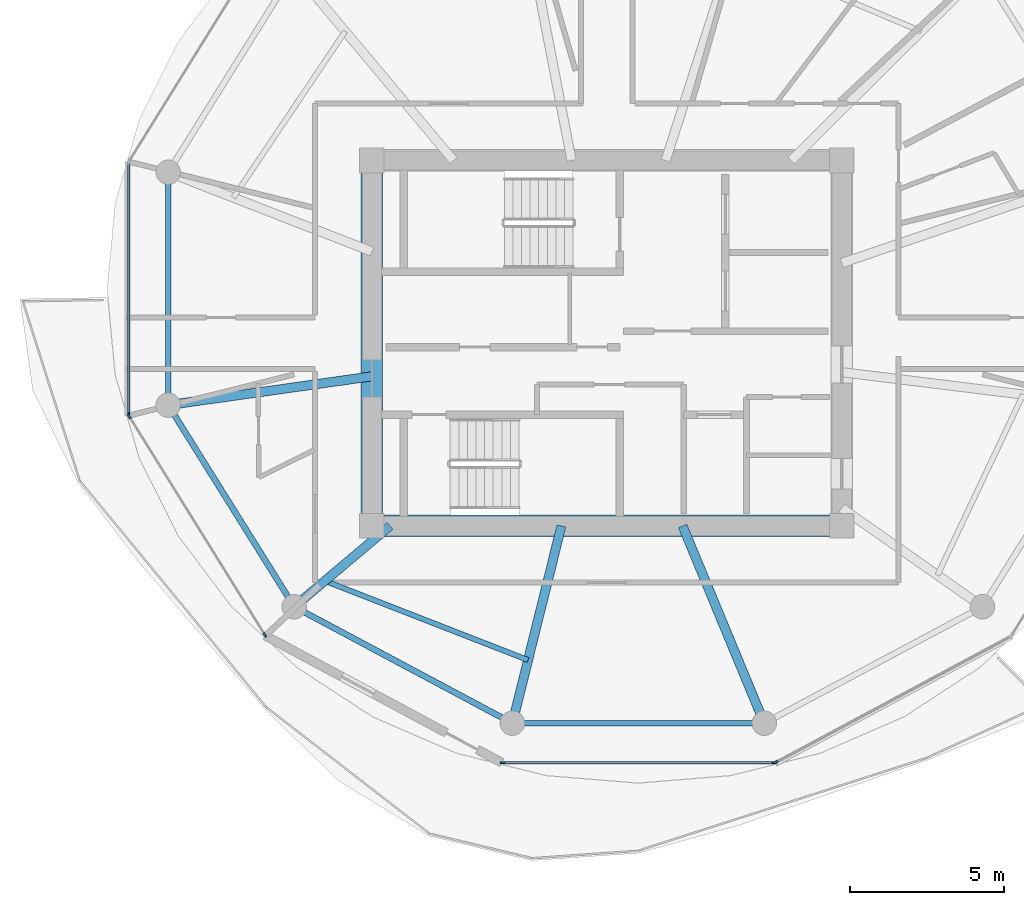
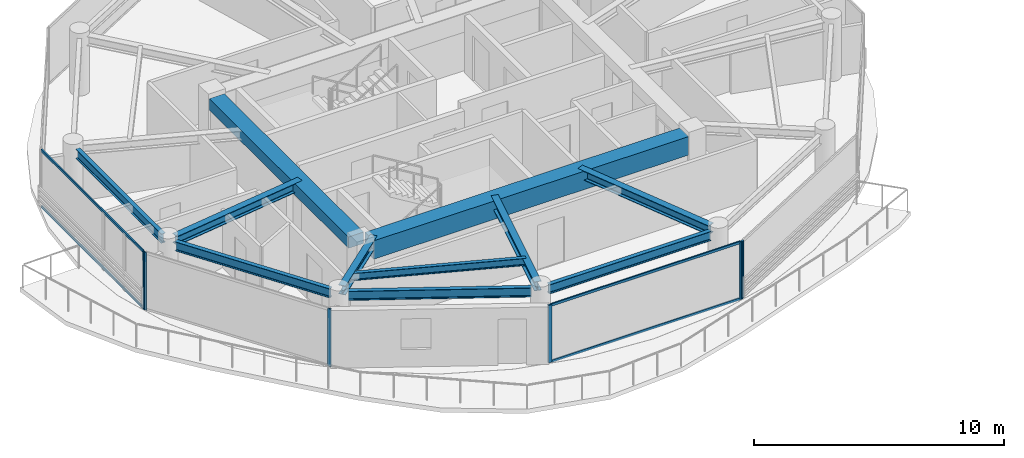
# One storey, part 2 of 22: 11 beams, 10 members, 4 elements without a shape of their own.
"""IFC4 building model written with IfcOpenShell, lengths in metres."""

import ifcopenshell
import ifcopenshell.guid

model = None  # the IFC model being written
_history = None  # IfcOwnerHistory: only IFC2X3 demands one
_inside = {}  # id of a spatial element -> (the spatial element, [elements in it])
_under = {}  # id of a project, library or spatial element -> (it, [spatial elements below it])
_declared = {}  # id of a project -> (the project, [libraries it declares])
_typed = {}  # id of a type object -> (the type object, [elements of that type])
_made_of = {}  # id of a material, layer set ... -> (it, [elements and type objects made of it])


def new_model(schema):
    """Start an empty IFC model of exactly this schema.

    Asked for "IFC4X3", IfcOpenShell would pick the latest addendum, in which some entities
    have other attributes; the version numbers below select the first issue.
    IFC2X3 requires an IfcOwnerHistory on every rooted entity: one is made here for all.
    """
    global model, _history
    if schema == "IFC4X3":
        model = ifcopenshell.file(schema_version=(4, 3, 0, 0))
    else:
        model = ifcopenshell.file(schema=schema)
    _inside.clear()
    _under.clear()
    _declared.clear()
    _typed.clear()
    _made_of.clear()
    _history = None
    if model.schema == "IFC2X3":
        org = make("IfcOrganization", Name="unknown")
        user = make(
            "IfcPersonAndOrganization",
            ThePerson=make("IfcPerson", FamilyName="unknown"),
            TheOrganization=org,
        )
        app = make(
            "IfcApplication",
            ApplicationDeveloper=org,
            Version="unknown",
            ApplicationFullName="unknown",
            ApplicationIdentifier="unknown",
        )
        _history = make(
            "IfcOwnerHistory",
            OwningUser=user,
            OwningApplication=app,
            ChangeAction="ADDED",
            CreationDate=0,
        )
    return model


def make(cls, **values):
    """One entity of the class cls with the attributes given. An attribute that is None is left unset."""
    return model.create_entity(
        cls, **{name: value for name, value in values.items() if value is not None}
    )


def rooted(cls, **values):
    """An entity with a GlobalId (a new one), such as an element, a storey or a relation."""
    return make(cls, GlobalId=ifcopenshell.guid.new(), OwnerHistory=_history, **values)


def si_unit(unit_type, name, prefix=None):
    """IfcSIUnit, for example si_unit("LENGTHUNIT", "METRE", prefix="MILLI")."""
    return make("IfcSIUnit", UnitType=unit_type, Prefix=prefix, Name=name)


def assignment(units):
    """IfcUnitAssignment: the units of a project."""
    return None if units is None else make("IfcUnitAssignment", Units=units)


def point(xyz):
    """IfcCartesianPoint."""
    return None if xyz is None else make("IfcCartesianPoint", Coordinates=xyz)


def direction(xyz):
    """IfcDirection."""
    return None if xyz is None else make("IfcDirection", DirectionRatios=xyz)


def frame(location, z_axis=None, x_axis=None):
    """IfcAxis2Placement3D, a coordinate frame: its origin and axes. An axis left out is left unset."""
    return make(
        "IfcAxis2Placement3D",
        Location=point(location),
        Axis=direction(z_axis),
        RefDirection=direction(x_axis),
    )


def frame_2d(location, x_axis=None):
    """IfcAxis2Placement2D, a coordinate frame in the plane: its origin and x axis."""
    return make(
        "IfcAxis2Placement2D", Location=point(location), RefDirection=direction(x_axis)
    )


def origin():
    """The frame at (0, 0, 0) with its axes left unset."""
    return frame((0.0, 0.0, 0.0))


def origin_2d():
    """The frame at (0, 0) in the plane with its x axis left unset."""
    return frame_2d((0.0, 0.0))


def place(relative_to, where):
    """IfcLocalPlacement: puts the frame where relative to a parent placement (None: the world)."""
    return make(
        "IfcLocalPlacement", PlacementRelTo=relative_to, RelativePlacement=where
    )


def context(
    kind, dimensions, precision=None, world=None, true_north=None, identifier=None
):
    """IfcGeometricRepresentationContext, for example the 3D "Model" context."""
    return make(
        "IfcGeometricRepresentationContext",
        ContextIdentifier=identifier,
        ContextType=kind,
        CoordinateSpaceDimension=dimensions,
        Precision=precision,
        WorldCoordinateSystem=world,
        TrueNorth=true_north,
    )


def subcontext(parent, identifier, kind, view, scale=None):
    """IfcGeometricRepresentationSubContext, for example "Body" below "Model"."""
    return make(
        "IfcGeometricRepresentationSubContext",
        ContextIdentifier=identifier,
        ContextType=kind,
        ParentContext=parent,
        TargetScale=scale,
        TargetView=view,
    )


def project(units=None, contexts=None):
    """IfcProject with its units and contexts."""
    return rooted(
        "IfcProject",
        Name="project",
        RepresentationContexts=contexts,
        UnitsInContext=assignment(units),
    )


def spatial(cls, under=None, at=None, **own):
    """A site, building, storey or space (cls), placed at a placement, below another one or the project."""
    s = rooted(cls, ObjectPlacement=at, **own)
    if under is not None:
        _under.setdefault(under.id(), (under, []))[1].append(s)
    return s


def profile(cls, at=None, kind="AREA", **sizes):
    """A parametric profile (cls). Its sizes go by their IFC names, for example OverallWidth=200.0."""
    return make(cls, ProfileType=kind, Position=at, **sizes)


def rectangle(**sizes):
    """IfcRectangleProfileDef."""
    return profile("IfcRectangleProfileDef", **sizes)


def i_section(**sizes):
    """IfcIShapeProfileDef."""
    return profile("IfcIShapeProfileDef", **sizes)


def extrude(swept, where, along, depth):
    """IfcExtrudedAreaSolid: the profile swept, set in the frame where, extruded along a direction by depth."""
    return make(
        "IfcExtrudedAreaSolid",
        SweptArea=swept,
        Position=where,
        ExtrudedDirection=direction(along),
        Depth=depth,
    )


def shape(context_of_items, identifier, shape_type, items):
    """IfcShapeRepresentation: the items that make up one representation, for example the "Body"."""
    return make(
        "IfcShapeRepresentation",
        ContextOfItems=context_of_items,
        RepresentationIdentifier=identifier,
        RepresentationType=shape_type,
        Items=items,
    )


def source(mapping_origin, context_of_items, identifier, shape_type, items):
    """IfcRepresentationMap: a shape defined once, which mapped items show again and again."""
    return make(
        "IfcRepresentationMap",
        MappingOrigin=mapping_origin,
        MappedRepresentation=shape(context_of_items, identifier, shape_type, items),
    )


def transform(
    local_origin,
    x_axis=None,
    y_axis=None,
    z_axis=None,
    scale=None,
    scale2=None,
    scale3=None,
    uniform=True,
):
    """IfcCartesianTransformationOperator3D, or its non-uniform kind. x_axis, y_axis, z_axis: its Axis1, 2, 3."""
    if uniform:
        return make(
            "IfcCartesianTransformationOperator3D",
            Axis1=direction(x_axis),
            Axis2=direction(y_axis),
            LocalOrigin=point(local_origin),
            Scale=scale,
            Axis3=direction(z_axis),
        )
    return make(
        "IfcCartesianTransformationOperator3DnonUniform",
        Axis1=direction(x_axis),
        Axis2=direction(y_axis),
        LocalOrigin=point(local_origin),
        Scale=scale,
        Axis3=direction(z_axis),
        Scale2=scale2,
        Scale3=scale3,
    )


def mapped(mapping_source, mapping_target):
    """IfcMappedItem: shows the shape of a source again, moved by a transform."""
    return make(
        "IfcMappedItem", MappingSource=mapping_source, MappingTarget=mapping_target
    )


def material(Name=None, Category=None):
    """IfcMaterial."""
    return make("IfcMaterial", Name=Name, Category=Category)


def layer(
    of_material, thickness, ventilated=None, Name=None, Category=None, Priority=None
):
    """IfcMaterialLayer: one layer of a wall or slab, of a material (None: an air gap)."""
    return make(
        "IfcMaterialLayer",
        Material=of_material,
        LayerThickness=thickness,
        IsVentilated=ventilated,
        Name=Name,
        Category=Category,
        Priority=Priority,
    )


def layer_set(layers, Name=None):
    """IfcMaterialLayerSet."""
    return make("IfcMaterialLayerSet", MaterialLayers=layers, LayerSetName=Name)


def material_profile(
    of_material, cross_section, Name=None, Category=None, Priority=None
):
    """IfcMaterialProfile: a cross section and its material."""
    return make(
        "IfcMaterialProfile",
        Name=Name,
        Material=of_material,
        Profile=cross_section,
        Priority=Priority,
        Category=Category,
    )


def profile_set(profiles, Name=None, composite=None):
    """IfcMaterialProfileSet."""
    return make(
        "IfcMaterialProfileSet",
        Name=Name,
        MaterialProfiles=profiles,
        CompositeProfile=composite,
    )


def made_of(thing, what):
    """Note that an element or type object is made of a material, layer set ...; save() writes the relation."""
    if what is not None:
        _made_of.setdefault(what.id(), (what, []))[1].append(thing)
    return thing


def type_object(cls, material=None, **own):
    """A type object (cls), such as IfcWallType, which elements share."""
    return made_of(rooted(cls, **own), material)


def type_shapes(of_type, sources):
    """Give a type object the sources (RepresentationMaps) that its elements show as mapped items."""
    of_type.RepresentationMaps = sources


def element(
    cls,
    number,
    at=None,
    inside=None,
    cuts=None,
    type_object=None,
    material=None,
    context=None,
    identifier="Body",
    shape_type=None,
    held_by="IfcProductDefinitionShape",
    body=None,
    shapes=None,
    **own,
):
    """One element of the class cls, such as IfcWall. Its Tag is "e" and its number.

    at: its placement. inside: the storey or other place that contains it. cuts: it is an
    opening in that element (IfcRelVoidsElement). A single representation is given by context,
    identifier, shape_type and body (its items); several are given by shapes. held_by: the class
    of the entity that holds the representations. save() writes the other relations.
    """
    e = rooted(cls, Tag="e%d" % number, ObjectPlacement=at, **own)
    if body is not None:
        shapes = [shape(context, identifier, shape_type, body)]
    if shapes is not None:
        e.Representation = make(held_by, Representations=shapes)
    if inside is not None:
        _inside.setdefault(inside.id(), (inside, []))[1].append(e)
    if cuts is not None:
        rooted(
            "IfcRelVoidsElement", RelatingBuildingElement=cuts, RelatedOpeningElement=e
        )
    if type_object is not None:
        _typed.setdefault(type_object.id(), (type_object, []))[1].append(e)
    return made_of(e, material)


def aggregate(whole, parts):
    """IfcRelAggregates: a whole, such as a stair, and the parts it consists of."""
    return rooted("IfcRelAggregates", RelatingObject=whole, RelatedObjects=parts)


def save(model, path):
    """Write the relations noted so far, then the file.

    IfcRelAggregates (storeys below a building ...), IfcRelContainedInSpatialStructure (elements
    in a storey), IfcRelDefinesByType, IfcRelAssociatesMaterial and IfcRelDeclares: one each for
    every whole, place, type object, material and project.
    """
    for whole, parts in _under.values():
        aggregate(whole, parts)
    for where, things in _inside.values():
        rooted(
            "IfcRelContainedInSpatialStructure",
            RelatedElements=things,
            RelatingStructure=where,
        )
    for kind, things in _typed.values():
        rooted("IfcRelDefinesByType", RelatedObjects=things, RelatingType=kind)
    for what, things in _made_of.values():
        rooted("IfcRelAssociatesMaterial", RelatedObjects=things, RelatingMaterial=what)
    for by, libraries in _declared.values():
        rooted("IfcRelDeclares", RelatingContext=by, RelatedDefinitions=libraries)
    model.write(path)


model = new_model("IFC4")

# Units and contexts
model_context = context("Model", 3, precision=1e-05, world=origin(), true_north=direction((0.0, 1.0)))
body_context = subcontext(model_context, "Body", "Model", "MODEL_VIEW")
ifc_project = project(units=[si_unit("LENGTHUNIT", "METRE"), si_unit("AREAUNIT", "SQUARE_METRE"), si_unit("VOLUMEUNIT", "CUBIC_METRE"), si_unit("PLANEANGLEUNIT", "RADIAN"), si_unit("MASSUNIT", "GRAM", prefix="KILO")], contexts=[model_context])

# Site, building, storey
site_placement = place(None, origin())
site = spatial("IfcSite", under=ifc_project, at=site_placement, CompositionType="ELEMENT")
building_placement = place(site_placement, origin())
building = spatial("IfcBuilding", under=site, at=building_placement, Name="Norrkilde Senior Care Towers", CompositionType="ELEMENT")
storey_placement = place(building_placement, frame((0.0, 0.0, 170.89990234375)))
storey = spatial("IfcBuildingStorey", under=building, at=storey_placement, Name="L53", CompositionType="ELEMENT", Elevation=170.89990234375)

# Beams
ifc_material_1 = material(Name="Concrete C60/75", Category="concrete")
ifc_material_profile_1 = material_profile(ifc_material_1, rectangle(XDim=0.699951171875, YDim=0.89990234375, at=origin_2d()), Name="RC BM 700x900")
ifc_profile_set_1 = profile_set([ifc_material_profile_1], Name="Concrete C60/75")
beam_type_1 = type_object("IfcBeamType", Name="Core Coupling Girder 700x900", PredefinedType="USERDEFINED", material=ifc_profile_set_1)
shared_shape_1 = source(origin(), body_context, "Body", "SweptSolid", [
    extrude(rectangle(XDim=0.699951171875, YDim=0.89990234375, at=origin_2d()), origin(), (0.0, 0.0, 1.0), 14.5400390625),
])
type_shapes(beam_type_1, [shared_shape_1])
beam_1_placement = place(storey_placement, frame((-35.27001953125, -5.949951171875, 2.360107421875), z_axis=(1.0, 0.0, 0.0), x_axis=(0.0, 1.0, 0.0)))
element("IfcBeam", 1, at=beam_1_placement, inside=storey, type_object=beam_type_1, Name="L53 Core W S Coupling Girder", ObjectType="GIRDER", PredefinedType="USERDEFINED", context=body_context, shape_type="MappedRepresentation", body=[
    mapped(shared_shape_1, transform((0.0, 0.0, 0.0), x_axis=(1.0, 0.0, 0.0), y_axis=(0.0, 1.0, 0.0), z_axis=(0.0, 0.0, 1.0), scale=1.0)),
])
ifc_material_profile_2 = material_profile(ifc_material_1, rectangle(XDim=0.699951171875, YDim=0.550048828125, at=origin_2d()), Name="RC BM 700x550")
ifc_profile_set_2 = profile_set([ifc_material_profile_2], Name="Concrete C60/75")
beam_type_2 = type_object("IfcBeamType", Name="Core Portal Coupling Beam 700x550", PredefinedType="USERDEFINED", material=ifc_profile_set_2)
shared_shape_2 = source(origin(), body_context, "Body", "SweptSolid", [
    extrude(rectangle(XDim=0.699951171875, YDim=0.550048828125, at=origin_2d()), origin(), (0.0, 0.0, 1.0), 11.14013671875),
])
type_shapes(beam_type_2, [shared_shape_2])
beam_2_placement = place(storey_placement, frame((-35.64990234375, -5.570068359375, 2.53515625), z_axis=(0.0, 1.0, 0.0), x_axis=(-1.0, 0.0, 0.0)))
element("IfcBeam", 2, at=beam_2_placement, inside=storey, type_object=beam_type_2, Name="L53 Core W W Coupling Girder", ObjectType="GIRDER", PredefinedType="USERDEFINED", context=body_context, shape_type="MappedRepresentation", body=[
    mapped(shared_shape_2, transform((0.0, 0.0, 0.0), x_axis=(1.0, 0.0, 0.0), y_axis=(0.0, 1.0, 0.0), z_axis=(0.0, 0.0, 1.0), scale=1.0)),
])
ifc_material_2 = material(Name="Steel S355", Category="steel")
ifc_material_profile_3 = material_profile(ifc_material_2, i_section(OverallWidth=0.18994140625, OverallDepth=0.449951171875, WebThickness=0.009521484375, FlangeThickness=0.0146484375, FilletRadius=0.02099609375, at=origin_2d()), Name="IPE 450")
ifc_profile_set_3 = profile_set([ifc_material_profile_3], Name="Steel S355")
beam_type_3 = type_object("IfcBeamType", Name="Perimeter Ring Spandrel Z3 IPE450", PredefinedType="SPANDREL", material=ifc_profile_set_3)
shared_shape_3 = source(origin(), body_context, "Body", "SweptSolid", [
    extrude(i_section(OverallWidth=0.18994140625, OverallDepth=0.449951171875, WebThickness=0.009521484375, FlangeThickness=0.0146484375, FilletRadius=0.02099609375, at=origin_2d()), origin(), (0.0, 0.0, 1.0), 7.484619140625),
])
beam_3_placement = place(storey_placement, frame((-30.71728515625, -12.37548828125, 2.585205078125), z_axis=(1.0, 0.0, 0.0), x_axis=(0.0, 1.0, 0.0)))
element("IfcBeam", 3, at=beam_3_placement, inside=storey, type_object=beam_type_3, Name="L53 Drum W Perimeter Spandrel 09", PredefinedType="SPANDREL", context=body_context, shape_type="MappedRepresentation", body=[
    mapped(shared_shape_3, transform((0.0, 0.0, 0.0), x_axis=(1.0, 0.0, 0.0), y_axis=(0.0, 1.0, 0.0), z_axis=(0.0, 0.0, 1.0), scale=1.0)),
])
shared_shape_4 = source(origin(), body_context, "Body", "SweptSolid", [
    extrude(i_section(OverallWidth=0.18994140625, OverallDepth=0.449951171875, WebThickness=0.009521484375, FlangeThickness=0.0146484375, FilletRadius=0.02099609375, at=origin_2d()), origin(), (0.0, 0.0, 1.0), 6.86328125),
])
beam_4_placement = place(storey_placement, frame((-42.284912109375, 5.20703125, 2.585205078125), z_axis=(0.0, -1.0, 0.0), x_axis=(1.0, 0.0, 0.0)))
element("IfcBeam", 4, at=beam_4_placement, inside=storey, type_object=beam_type_3, Name="L53 Drum W Perimeter Spandrel 06", PredefinedType="SPANDREL", context=body_context, shape_type="MappedRepresentation", body=[
    mapped(shared_shape_4, transform((0.0, 0.0, 0.0), x_axis=(1.0, 0.0, 0.0), y_axis=(0.0, 1.0, 0.0), z_axis=(0.0, 0.0, 1.0), scale=1.0)),
])
shared_shape_5 = source(origin(), body_context, "Body", "SweptSolid", [
    extrude(i_section(OverallWidth=0.18994140625, OverallDepth=0.449951171875, WebThickness=0.009521484375, FlangeThickness=0.0146484375, FilletRadius=0.02099609375, at=origin_2d()), origin(), (0.0, 0.0, 1.0), 7.023193359375),
])
beam_5_placement = place(storey_placement, frame((-42.09423828125, -2.32177734375, 2.585205078125), z_axis=(0.529805197269, -0.848119362441, 0.0), x_axis=(0.848119362441, 0.529805197269, 0.0)))
element("IfcBeam", 5, at=beam_5_placement, inside=storey, type_object=beam_type_3, Name="L53 Drum W Perimeter Spandrel 07", PredefinedType="SPANDREL", context=body_context, shape_type="MappedRepresentation", body=[
    mapped(shared_shape_5, transform((0.0, 0.0, 0.0), x_axis=(1.0, 0.0, 0.0), y_axis=(0.0, 1.0, 0.0), z_axis=(0.0, 0.0, 1.0), scale=1.0)),
])
ifc_material_profile_4 = material_profile(ifc_material_2, i_section(OverallWidth=0.300048828125, OverallDepth=0.449951171875, WebThickness=0.013916015625, FlangeThickness=0.02587890625, FilletRadius=0.027099609375, at=origin_2d()), Name="HEB 450")
ifc_profile_set_4 = profile_set([ifc_material_profile_4], Name="Steel S355")
beam_type_4 = type_object("IfcBeamType", Name="Radial Floor Beam Z3 HEB450", PredefinedType="BEAM", material=ifc_profile_set_4)
shared_shape_6 = source(origin(), body_context, "Body", "SweptSolid", [
    extrude(i_section(OverallWidth=0.300048828125, OverallDepth=0.449951171875, WebThickness=0.013916015625, FlangeThickness=0.02587890625, FilletRadius=0.027099609375, at=origin_2d()), origin(), (0.0, 0.0, 1.0), 6.3408203125),
])
beam_6_placement = place(storey_placement, frame((-35.64990234375, -1.079833984375, 2.585205078125), z_axis=(-0.990184519576, -0.139766294905, 0.0), x_axis=(0.139766294905, -0.990184519576, 0.0)))
element("IfcBeam", 6, at=beam_6_placement, inside=storey, type_object=beam_type_4, Name="L53 Drum W Radial Floor Beam 07", PredefinedType="BEAM", context=body_context, shape_type="MappedRepresentation", body=[
    mapped(shared_shape_6, transform((0.0, 0.0, 0.0), x_axis=(1.0, 0.0, 0.0), y_axis=(0.0, 1.0, 0.0), z_axis=(0.0, 0.0, 1.0), scale=1.0)),
])
shared_shape_7 = source(origin(), body_context, "Body", "SweptSolid", [
    extrude(i_section(OverallWidth=0.18994140625, OverallDepth=0.449951171875, WebThickness=0.009521484375, FlangeThickness=0.0146484375, FilletRadius=0.02099609375, at=origin_2d()), origin(), (0.0, 0.0, 1.0), 7.333984375),
])
type_shapes(beam_type_3, [shared_shape_3, shared_shape_4, shared_shape_5, shared_shape_7])
beam_7_placement = place(storey_placement, frame((-37.864990234375, -8.753173828125, 2.585205078125), z_axis=(0.882234038987, -0.470811109101, 0.0), x_axis=(0.470811109101, 0.882234038987, 0.0)))
element("IfcBeam", 7, at=beam_7_placement, inside=storey, type_object=beam_type_3, Name="L53 Drum W Perimeter Spandrel 08", PredefinedType="SPANDREL", context=body_context, shape_type="MappedRepresentation", body=[
    mapped(shared_shape_7, transform((0.0, 0.0, 0.0), x_axis=(1.0, 0.0, 0.0), y_axis=(0.0, 1.0, 0.0), z_axis=(0.0, 0.0, 1.0), scale=1.0)),
])
shared_shape_8 = source(origin(), body_context, "Body", "SweptSolid", [
    extrude(i_section(OverallWidth=0.300048828125, OverallDepth=0.449951171875, WebThickness=0.013916015625, FlangeThickness=0.02587890625, FilletRadius=0.027099609375, at=origin_2d()), origin(), (0.0, 0.0, 1.0), 3.7265625),
])
beam_8_placement = place(storey_placement, frame((-35.058349609375, -5.949951171875, 2.585205078125), z_axis=(-0.764567902106, -0.644543189453, 0.0), x_axis=(0.644543189453, -0.764567902106, 0.0)))
element("IfcBeam", 8, at=beam_8_placement, inside=storey, type_object=beam_type_4, Name="L53 Drum W Radial Floor Beam 08", PredefinedType="BEAM", context=body_context, shape_type="MappedRepresentation", body=[
    mapped(shared_shape_8, transform((0.0, 0.0, 0.0), x_axis=(1.0, 0.0, 0.0), y_axis=(0.0, 1.0, 0.0), z_axis=(0.0, 0.0, 1.0), scale=1.0)),
])
shared_shape_9 = source(origin(), body_context, "Body", "SweptSolid", [
    extrude(i_section(OverallWidth=0.300048828125, OverallDepth=0.449951171875, WebThickness=0.013916015625, FlangeThickness=0.02587890625, FilletRadius=0.027099609375, at=origin_2d()), origin(), (0.0, 0.0, 1.0), 6.26123046875),
])
beam_9_placement = place(storey_placement, frame((-29.4794921875, -5.949951171875, 2.585205078125), z_axis=(-0.241324375921, -0.970444509277, 0.0), x_axis=(0.970444509277, -0.241324375921, 0.0)))
element("IfcBeam", 9, at=beam_9_placement, inside=storey, type_object=beam_type_4, Name="L53 Drum W Radial Floor Beam 09", PredefinedType="BEAM", context=body_context, shape_type="MappedRepresentation", body=[
    mapped(shared_shape_9, transform((0.0, 0.0, 0.0), x_axis=(1.0, 0.0, 0.0), y_axis=(0.0, 1.0, 0.0), z_axis=(0.0, 0.0, 1.0), scale=1.0)),
])
shared_shape_10 = source(origin(), body_context, "Body", "SweptSolid", [
    extrude(i_section(OverallWidth=0.300048828125, OverallDepth=0.449951171875, WebThickness=0.013916015625, FlangeThickness=0.02587890625, FilletRadius=0.027099609375, at=origin_2d()), origin(), (0.0, 0.0, 1.0), 6.59521484375),
])
type_shapes(beam_type_4, [shared_shape_6, shared_shape_8, shared_shape_9, shared_shape_10])
beam_10_placement = place(storey_placement, frame((-25.534912109375, -5.949951171875, 2.585205078125), z_axis=(0.382761541363, -0.923847174836, 0.0), x_axis=(0.923847174836, 0.382761541363, 0.0)))
element("IfcBeam", 10, at=beam_10_placement, inside=storey, type_object=beam_type_4, Name="L53 Drum W Radial Floor Beam 10", PredefinedType="BEAM", context=body_context, shape_type="MappedRepresentation", body=[
    mapped(shared_shape_10, transform((0.0, 0.0, 0.0), x_axis=(1.0, 0.0, 0.0), y_axis=(0.0, 1.0, 0.0), z_axis=(0.0, 0.0, 1.0), scale=1.0)),
])
ifc_material_profile_5 = material_profile(ifc_material_2, i_section(OverallWidth=0.169921875, OverallDepth=0.360107421875, WebThickness=0.008056640625, FlangeThickness=0.0126953125, FilletRadius=0.01806640625, at=origin_2d()), Name="IPE 360")
ifc_profile_set_5 = profile_set([ifc_material_profile_5], Name="Steel S355")
beam_type_5 = type_object("IfcBeamType", Name="Secondary Floor Joist IPE360", PredefinedType="JOIST", material=ifc_profile_set_5)
shared_shape_11 = source(origin(), body_context, "Body", "SweptSolid", [
    extrude(i_section(OverallWidth=0.169921875, OverallDepth=0.360107421875, WebThickness=0.008056640625, FlangeThickness=0.0126953125, FilletRadius=0.01806640625, at=origin_2d()), origin(), (0.0, 0.0, 1.0), 7.1015625),
])
type_shapes(beam_type_5, [shared_shape_11])
beam_11_placement = place(storey_placement, frame((-37.182861328125, -7.740966796875, 2.630126953125), z_axis=(0.931761231292, -0.363071629106, 0.0), x_axis=(0.363071629106, 0.931761231292, 0.0)))
element("IfcBeam", 11, at=beam_11_placement, inside=storey, type_object=beam_type_5, Name="L53 Drum W Secondary Floor Joist 3", PredefinedType="JOIST", context=body_context, shape_type="MappedRepresentation", body=[
    mapped(shared_shape_11, transform((0.0, 0.0, 0.0), x_axis=(1.0, 0.0, 0.0), y_axis=(0.0, 1.0, 0.0), z_axis=(0.0, 0.0, 1.0), scale=1.0)),
])

# Curtain wall, member
ifc_material_3 = material(Name="Triple Low-E Insulated Glazing", Category="glass")
ifc_layer = layer(ifc_material_3, 0.18994140625)
ifc_layer_set = layer_set([ifc_layer], Name="Triple Low-E Insulated Glazing")
curtain_wall_type = type_object("IfcCurtainWallType", Name="CW4 Zone 3 Senior Residence Curtain Wall", PredefinedType="NOTDEFINED", material=ifc_layer_set)
curtain_wall_1_placement = place(storey_placement, origin())
curtain_wall_1 = element("IfcCurtainWall", 12, at=curtain_wall_1_placement, inside=storey, type_object=curtain_wall_type, Name="L53 Drum W Curtain Wall 05", PredefinedType="NOTDEFINED")
ifc_material_4 = material(Name="Anodised Aluminium", Category="aluminium")
ifc_material_profile_6 = material_profile(ifc_material_4, rectangle(XDim=0.06494140625, YDim=0.14990234375, at=origin_2d()), Name="ALU MULL 65x150")
ifc_profile_set_6 = profile_set([ifc_material_profile_6], Name="Anodised Aluminium")
member_type_1 = type_object("IfcMemberType", Name="Curtain Wall Mullion Z3-Z4 65x150", PredefinedType="MULLION", material=ifc_profile_set_6)
shared_shape_12 = source(origin(), body_context, "Body", "SweptSolid", [
    extrude(rectangle(XDim=0.06494140625, YDim=0.14990234375, at=origin_2d()), origin(), (0.0, 0.0, 1.0), 2.81005859375),
])
type_shapes(member_type_1, [shared_shape_12])
member_1_placement = place(storey_placement, frame((-43.569580078125, -2.328125, 0.0), z_axis=(0.0, 0.0, 1.0), x_axis=(-1.0, 0.0, 0.0)))
member_1 = element("IfcMember", 13, at=member_1_placement, type_object=member_type_1, Name="CW-4 mullion 1", PredefinedType="MULLION", context=body_context, shape_type="MappedRepresentation", body=[
    mapped(shared_shape_12, transform((0.0, 0.0, 0.0), x_axis=(1.0, 0.0, 0.0), y_axis=(0.0, 1.0, 0.0), z_axis=(0.0, 0.0, 1.0), scale=1.0)),
])

# Curtain wall, members
curtain_wall_2_placement = place(storey_placement, origin())
curtain_wall_2 = element("IfcCurtainWall", 14, at=curtain_wall_2_placement, inside=storey, type_object=curtain_wall_type, Name="L53 Drum W Curtain Wall 06", PredefinedType="NOTDEFINED")
member_2_placement = place(storey_placement, frame((-39.14013671875, -9.49658203125, 0.0), z_axis=(0.0, 0.0, 1.0), x_axis=(-0.84963405474, -0.52737270789, 0.0)))
member_2 = element("IfcMember", 15, at=member_2_placement, type_object=member_type_1, Name="CW-4 mullion 1", PredefinedType="MULLION", context=body_context, shape_type="MappedRepresentation", body=[
    mapped(shared_shape_12, transform((0.0, 0.0, 0.0), x_axis=(1.0, 0.0, 0.0), y_axis=(0.0, 1.0, 0.0), z_axis=(0.0, 0.0, 1.0), scale=1.0)),
])
member_3_placement = place(storey_placement, frame((-43.552490234375, -2.38818359375, 0.0), z_axis=(0.0, 0.0, 1.0), x_axis=(-0.84963405474, -0.52737270789, 0.0)))
member_3 = element("IfcMember", 16, at=member_3_placement, type_object=member_type_1, Name="CW-4 mullion 2", PredefinedType="MULLION", context=body_context, shape_type="MappedRepresentation", body=[
    mapped(shared_shape_12, transform((0.0, 0.0, 0.0), x_axis=(1.0, 0.0, 0.0), y_axis=(0.0, 1.0, 0.0), z_axis=(0.0, 0.0, 1.0), scale=1.0)),
])
aggregate(curtain_wall_2, [member_2, member_3])

curtain_wall_3_placement = place(storey_placement, origin())
curtain_wall_3 = element("IfcCurtainWall", 17, at=curtain_wall_3_placement, inside=storey, type_object=curtain_wall_type, Name="L53 Drum W Curtain Wall 08", PredefinedType="NOTDEFINED")
member_4_placement = place(storey_placement, frame((-22.56103515625, -13.66015625, 0.0), z_axis=(0.0, 0.0, 1.0), x_axis=(0.0, -1.0, 0.0)))
member_4 = element("IfcMember", 18, at=member_4_placement, type_object=member_type_1, Name="CW-4 mullion 1", PredefinedType="MULLION", context=body_context, shape_type="MappedRepresentation", body=[
    mapped(shared_shape_12, transform((0.0, 0.0, 0.0), x_axis=(1.0, 0.0, 0.0), y_axis=(0.0, 1.0, 0.0), z_axis=(0.0, 0.0, 1.0), scale=1.0)),
])
member_5_placement = place(storey_placement, frame((-31.388916015625, -13.66015625, 0.0), z_axis=(0.0, 0.0, 1.0), x_axis=(0.0, -1.0, 0.0)))
member_5 = element("IfcMember", 19, at=member_5_placement, type_object=member_type_1, Name="CW-4 mullion 2", PredefinedType="MULLION", context=body_context, shape_type="MappedRepresentation", body=[
    mapped(shared_shape_12, transform((0.0, 0.0, 0.0), x_axis=(1.0, 0.0, 0.0), y_axis=(0.0, 1.0, 0.0), z_axis=(0.0, 0.0, 1.0), scale=1.0)),
])

# Curtain wall, member
curtain_wall_4_placement = place(storey_placement, origin())
curtain_wall_4 = element("IfcCurtainWall", 20, at=curtain_wall_4_placement, inside=storey, type_object=curtain_wall_type, Name="L53 Drum W Curtain Wall 09", PredefinedType="NOTDEFINED")
member_6_placement = place(storey_placement, frame((-22.499755859375, -13.644775390625, 0.0), z_axis=(0.0, 0.0, 1.0), x_axis=(0.47311715104, -0.880999524059, 0.0)))
member_6 = element("IfcMember", 21, at=member_6_placement, type_object=member_type_1, Name="CW-4 mullion 2", PredefinedType="MULLION", context=body_context, shape_type="MappedRepresentation", body=[
    mapped(shared_shape_12, transform((0.0, 0.0, 0.0), x_axis=(1.0, 0.0, 0.0), y_axis=(0.0, 1.0, 0.0), z_axis=(0.0, 0.0, 1.0), scale=1.0)),
])
aggregate(curtain_wall_4, [member_6])

# Member
ifc_material_profile_7 = material_profile(ifc_material_4, rectangle(XDim=0.06005859375, YDim=0.1201171875, at=origin_2d()), Name="ALU TRAN 60x120")
ifc_profile_set_7 = profile_set([ifc_material_profile_7], Name="Anodised Aluminium")
member_type_2 = type_object("IfcMemberType", Name="Curtain Wall Transom Typical 60x120", PredefinedType="USERDEFINED", material=ifc_profile_set_7)
shared_shape_13 = source(origin(), body_context, "Body", "SweptSolid", [
    extrude(rectangle(XDim=0.06005859375, YDim=0.1201171875, at=origin_2d()), origin(), (0.0, 0.0, 1.0), 8.762939453125),
])
member_7_placement = place(storey_placement, frame((-22.593505859375, -13.66015625, 0.030029296875), z_axis=(-1.0, 0.0, 0.0), x_axis=(0.0, -1.0, 0.0)))
member_7 = element("IfcMember", 22, at=member_7_placement, type_object=member_type_2, Name="CW-4 transom 1.1", ObjectType="TRANSOM", PredefinedType="USERDEFINED", context=body_context, shape_type="MappedRepresentation", body=[
    mapped(shared_shape_13, transform((0.0, 0.0, 0.0), x_axis=(1.0, 0.0, 0.0), y_axis=(0.0, 1.0, 0.0), z_axis=(0.0, 0.0, 1.0), scale=1.0)),
])

member_8_placement = place(storey_placement, frame((-22.593505859375, -13.66015625, 2.780029296875), z_axis=(-1.0, 0.0, 0.0), x_axis=(0.0, -1.0, 0.0)))
member_8 = element("IfcMember", 23, at=member_8_placement, type_object=member_type_2, Name="CW-4 transom 1.2", ObjectType="TRANSOM", PredefinedType="USERDEFINED", context=body_context, shape_type="MappedRepresentation", body=[
    mapped(shared_shape_13, transform((0.0, 0.0, 0.0), x_axis=(1.0, 0.0, 0.0), y_axis=(0.0, 1.0, 0.0), z_axis=(0.0, 0.0, 1.0), scale=1.0)),
])

aggregate(curtain_wall_3, [member_4, member_5, member_7, member_8])

shared_shape_14 = source(origin(), body_context, "Body", "SweptSolid", [
    extrude(rectangle(XDim=0.06005859375, YDim=0.1201171875, at=origin_2d()), origin(), (0.0, 0.0, 1.0), 8.141845703125),
])
type_shapes(member_type_2, [shared_shape_13, shared_shape_14])
member_9_placement = place(storey_placement, frame((-43.569580078125, -2.295654296875, 0.030029296875), z_axis=(0.0, 1.0, 0.0), x_axis=(-1.0, 0.0, 0.0)))
member_9 = element("IfcMember", 24, at=member_9_placement, type_object=member_type_2, Name="CW-4 transom 1.1", ObjectType="TRANSOM", PredefinedType="USERDEFINED", context=body_context, shape_type="MappedRepresentation", body=[
    mapped(shared_shape_14, transform((0.0, 0.0, 0.0), x_axis=(1.0, 0.0, 0.0), y_axis=(0.0, 1.0, 0.0), z_axis=(0.0, 0.0, 1.0), scale=1.0)),
])

member_10_placement = place(storey_placement, frame((-43.569580078125, -2.295654296875, 2.780029296875), z_axis=(0.0, 1.0, 0.0), x_axis=(-1.0, 0.0, 0.0)))
member_10 = element("IfcMember", 25, at=member_10_placement, type_object=member_type_2, Name="CW-4 transom 1.2", ObjectType="TRANSOM", PredefinedType="USERDEFINED", context=body_context, shape_type="MappedRepresentation", body=[
    mapped(shared_shape_14, transform((0.0, 0.0, 0.0), x_axis=(1.0, 0.0, 0.0), y_axis=(0.0, 1.0, 0.0), z_axis=(0.0, 0.0, 1.0), scale=1.0)),
])

aggregate(curtain_wall_1, [member_1, member_9, member_10])

save(model, "model.ifc")
